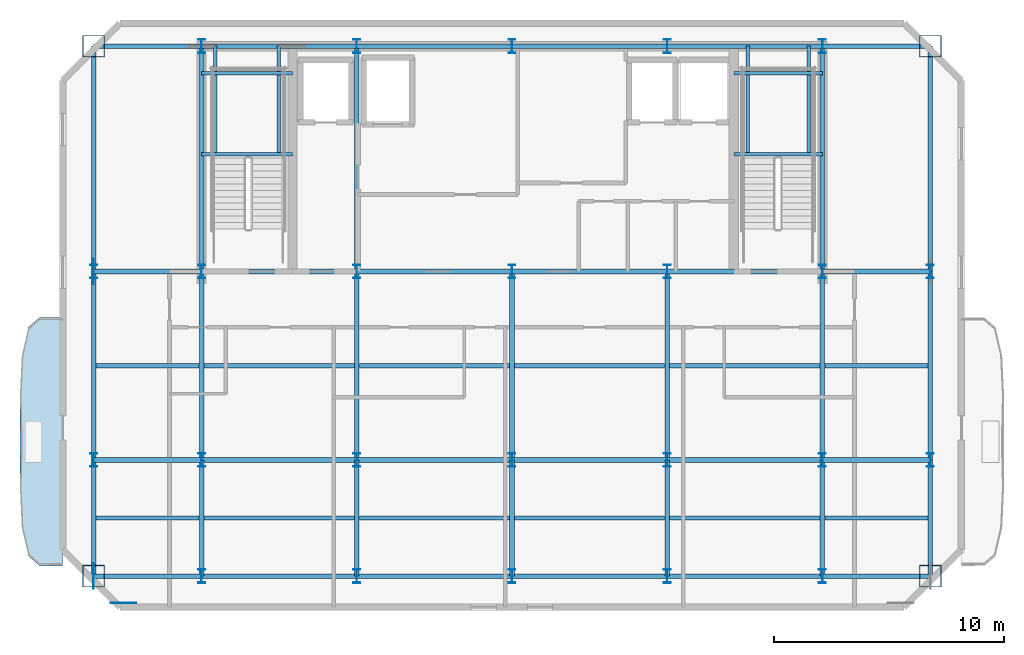
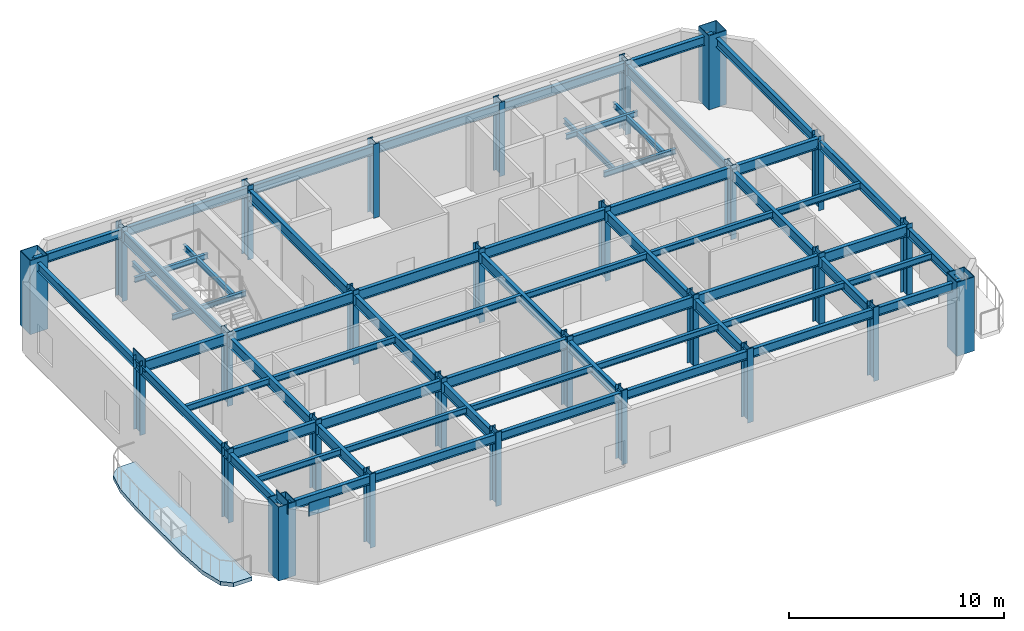
# One storey, part 1 of 6: 63 beams, 28 columns, 3 plates, 1 slab.
"""IFC4 building model written with IfcOpenShell, lengths in metres."""

from ifc_helpers import new_model, si_unit, direction, frame, origin, origin_2d, place, context, subcontext, project, spatial, polyline, rectangle, hollow_rectangle, i_section, outline, extrude, material, layer, layer_set, material_profile, profile_set, type_object, element, save


model = new_model("IFC4")

# Units and contexts
model_context = context("Model", 3, precision=1e-05, world=origin(), true_north=direction((0.0, 1.0)))
body_context = subcontext(model_context, "Body", "Model", "MODEL_VIEW")
ifc_project = project(units=[si_unit("LENGTHUNIT", "METRE"), si_unit("AREAUNIT", "SQUARE_METRE"), si_unit("VOLUMEUNIT", "CUBIC_METRE"), si_unit("PLANEANGLEUNIT", "RADIAN"), si_unit("MASSUNIT", "GRAM", prefix="KILO")], contexts=[model_context])

# Site, building, storey
site_placement = place(None, origin())
site = spatial("IfcSite", under=ifc_project, at=site_placement, CompositionType="ELEMENT")
building_placement = place(site_placement, origin())
building = spatial("IfcBuilding", under=site, at=building_placement, Name="Haevon Station Towers", CompositionType="ELEMENT")
storey_placement = place(building_placement, frame((0.0, 0.0, 265.800048828125)))
storey = spatial("IfcBuildingStorey", under=building, at=storey_placement, Name="L74", CompositionType="ELEMENT", Elevation=265.800048828125)

# Columns
ifc_material_1 = material(Name="Steel S460", Category="steel")
ifc_material_profile_1 = material_profile(ifc_material_1, hollow_rectangle(XDim=0.949951171875, YDim=0.949951171875, WallThickness=0.028076171875, at=origin_2d()), Name="BOX-950x950x28")
ifc_profile_set_1 = profile_set([ifc_material_profile_1], Name="Steel S460")
column_type_1 = type_object("IfcColumnType", Name="COL-MC6", PredefinedType="COLUMN", material=ifc_profile_set_1)
for number, where, z_axis, x_axis, name in (
    (1, (19.300048828125, 24.949951171875, 0.0), (0.0, 0.0, 1.0), (1.0, 0.0, 0.0), "COL-T1-L74-01-01"),
    (2, (19.300048828125, 48.0, 0.0), (0.0, 0.0, 1.0), (1.0, 0.0, 0.0), "COL-T1-L74-01-04"),
    (3, (55.699951171875, 24.949951171875, 0.0), (0.0, 0.0, 1.0), (1.0, 0.0, 0.0), "COL-T1-L74-07-01"),
    (4, (55.699951171875, 48.0, 0.0), (0.0, 0.0, 1.0), (1.0, 0.0, 0.0), "COL-T1-L74-07-04"),
):
    element("IfcColumn", number, at=place(storey_placement, frame(where, z_axis=z_axis, x_axis=x_axis)), inside=storey, type_object=column_type_1, Name=name, PredefinedType="COLUMN", context=body_context, shape_type="SweptSolid", body=[
        extrude(hollow_rectangle(XDim=0.949951171875, YDim=0.949951171875, WallThickness=0.028076171875, at=origin_2d()), origin(), (0.0, 0.0, 1.0), 4.199951171875),
    ])
ifc_material_2 = material(Name="Steel S355", Category="steel")
ifc_material_profile_2 = material_profile(ifc_material_2, i_section(OverallWidth=0.300048828125, OverallDepth=0.60009765625, WebThickness=0.013916015625, FlangeThickness=0.02490234375, at=origin_2d()), Name="H-600x300x14x25")
ifc_profile_set_2 = profile_set([ifc_material_profile_2], Name="Steel S355")
column_type_2 = type_object("IfcColumnType", Name="COL-TW4", PredefinedType="COLUMN", material=ifc_profile_set_2)
for number, where, z_axis, x_axis, name in (
    (5, (19.300048828125, 30.0, 0.0), (0.0, 0.0, 1.0), (1.0, 0.0, 0.0), "COL-T1-L74-01-02"),
    (6, (19.300048828125, 38.199951171875, 0.0), (0.0, 0.0, 1.0), (1.0, 0.0, 0.0), "COL-T1-L74-01-03"),
    (7, (24.0, 24.949951171875, 0.0), (0.0, 0.0, 1.0), (1.0, 0.0, 0.0), "COL-T1-L74-02-01"),
    (8, (24.0, 30.0, 0.0), (0.0, 0.0, 1.0), (1.0, 0.0, 0.0), "COL-T1-L74-02-02"),
    (9, (24.0, 38.199951171875, 0.0), (0.0, 0.0, 1.0), (1.0, 0.0, 0.0), "COL-T1-L74-02-03"),
    (10, (24.0, 48.0, 0.0), (0.0, 0.0, 1.0), (1.0, 0.0, 0.0), "COL-T1-L74-02-04"),
    (11, (30.75, 24.949951171875, 0.0), (0.0, 0.0, 1.0), (1.0, 0.0, 0.0), "COL-T1-L74-03-01"),
    (12, (30.75, 30.0, 0.0), (0.0, 0.0, 1.0), (1.0, 0.0, 0.0), "COL-T1-L74-03-02"),
    (13, (30.75, 38.199951171875, 0.0), (0.0, 0.0, 1.0), (1.0, 0.0, 0.0), "COL-T1-L74-03-03"),
    (14, (30.75, 48.0, 0.0), (0.0, 0.0, 1.0), (1.0, 0.0, 0.0), "COL-T1-L74-03-04"),
    (15, (37.5, 24.949951171875, 0.0), (0.0, 0.0, 1.0), (1.0, 0.0, 0.0), "COL-T1-L74-04-01"),
    (16, (37.5, 30.0, 0.0), (0.0, 0.0, 1.0), (1.0, 0.0, 0.0), "COL-T1-L74-04-02"),
    (17, (37.5, 38.199951171875, 0.0), (0.0, 0.0, 1.0), (1.0, 0.0, 0.0), "COL-T1-L74-04-03"),
    (18, (37.5, 48.0, 0.0), (0.0, 0.0, 1.0), (1.0, 0.0, 0.0), "COL-T1-L74-04-04"),
    (19, (44.25, 24.949951171875, 0.0), (0.0, 0.0, 1.0), (1.0, 0.0, 0.0), "COL-T1-L74-05-01"),
    (20, (44.25, 30.0, 0.0), (0.0, 0.0, 1.0), (1.0, 0.0, 0.0), "COL-T1-L74-05-02"),
    (21, (44.25, 38.199951171875, 0.0), (0.0, 0.0, 1.0), (1.0, 0.0, 0.0), "COL-T1-L74-05-03"),
    (22, (44.25, 48.0, 0.0), (0.0, 0.0, 1.0), (1.0, 0.0, 0.0), "COL-T1-L74-05-04"),
    (23, (51.0, 24.949951171875, 0.0), (0.0, 0.0, 1.0), (1.0, 0.0, 0.0), "COL-T1-L74-06-01"),
    (24, (51.0, 30.0, 0.0), (0.0, 0.0, 1.0), (1.0, 0.0, 0.0), "COL-T1-L74-06-02"),
    (25, (51.0, 38.199951171875, 0.0), (0.0, 0.0, 1.0), (1.0, 0.0, 0.0), "COL-T1-L74-06-03"),
    (26, (51.0, 48.0, 0.0), (0.0, 0.0, 1.0), (1.0, 0.0, 0.0), "COL-T1-L74-06-04"),
    (27, (55.699951171875, 30.0, 0.0), (0.0, 0.0, 1.0), (1.0, 0.0, 0.0), "COL-T1-L74-07-02"),
    (28, (55.699951171875, 38.199951171875, 0.0), (0.0, 0.0, 1.0), (1.0, 0.0, 0.0), "COL-T1-L74-07-03"),
):
    element("IfcColumn", number, at=place(storey_placement, frame(where, z_axis=z_axis, x_axis=x_axis)), inside=storey, type_object=column_type_2, Name=name, PredefinedType="COLUMN", context=body_context, shape_type="SweptSolid", body=[
        extrude(i_section(OverallWidth=0.300048828125, OverallDepth=0.60009765625, WebThickness=0.013916015625, FlangeThickness=0.02490234375, at=origin_2d()), origin(), (0.0, 0.0, 1.0), 4.199951171875),
    ])

# Beams
ifc_material_profile_3 = material_profile(ifc_material_2, i_section(OverallWidth=0.199951171875, OverallDepth=0.60009765625, WebThickness=0.010986328125, FlangeThickness=0.01708984375, at=origin_2d()), Name="H-600x200x11x17")
ifc_profile_set_3 = profile_set([ifc_material_profile_3], Name="Steel S355")
beam_type_1 = type_object("IfcBeamType", Name="BM-G600", PredefinedType="BEAM", material=ifc_profile_set_3)
beam_1_placement = place(storey_placement, frame((19.300048828125, 30.0, 3.64990234375), z_axis=(1.0, 0.0, 0.0), x_axis=(0.0, 1.0, 0.0)))
element("IfcBeam", 29, at=beam_1_placement, inside=storey, type_object=beam_type_1, Name="BM-T1U-L74-02-01", PredefinedType="BEAM", context=body_context, shape_type="SweptSolid", body=[
    extrude(i_section(OverallWidth=0.199951171875, OverallDepth=0.60009765625, WebThickness=0.010986328125, FlangeThickness=0.01708984375, at=origin_2d()), origin(), (0.0, 0.0, 1.0), 4.699951171875),
])
for number, where, z_axis, x_axis, name in (
    (30, (24.0, 30.0, 3.64990234375), (1.0, 0.0, 0.0), (0.0, 1.0, 0.0), "BM-T1U-L74-02-02"),
    (31, (30.75, 30.0, 3.64990234375), (1.0, 0.0, 0.0), (0.0, 1.0, 0.0), "BM-T1U-L74-02-03"),
    (32, (37.5, 30.0, 3.64990234375), (1.0, 0.0, 0.0), (0.0, 1.0, 0.0), "BM-T1U-L74-02-04"),
    (33, (44.25, 30.0, 3.64990234375), (1.0, 0.0, 0.0), (0.0, 1.0, 0.0), "BM-T1U-L74-02-05"),
):
    element("IfcBeam", number, at=place(storey_placement, frame(where, z_axis=z_axis, x_axis=x_axis)), inside=storey, type_object=beam_type_1, Name=name, PredefinedType="BEAM", context=body_context, shape_type="SweptSolid", body=[
        extrude(i_section(OverallWidth=0.199951171875, OverallDepth=0.60009765625, WebThickness=0.010986328125, FlangeThickness=0.01708984375, at=origin_2d()), origin(), (0.0, 0.0, 1.0), 6.75),
    ])
for number, where, z_axis, x_axis, name in (
    (34, (51.0, 30.0, 3.64990234375), (1.0, 0.0, 0.0), (0.0, 1.0, 0.0), "BM-T1U-L74-02-06"),
    (35, (19.300048828125, 38.199951171875, 3.64990234375), (1.0, 0.0, 0.0), (0.0, 1.0, 0.0), "BM-T1U-L74-03-01"),
):
    element("IfcBeam", number, at=place(storey_placement, frame(where, z_axis=z_axis, x_axis=x_axis)), inside=storey, type_object=beam_type_1, Name=name, PredefinedType="BEAM", context=body_context, shape_type="SweptSolid", body=[
        extrude(i_section(OverallWidth=0.199951171875, OverallDepth=0.60009765625, WebThickness=0.010986328125, FlangeThickness=0.01708984375, at=origin_2d()), origin(), (0.0, 0.0, 1.0), 4.699951171875),
    ])
for number, where, z_axis, x_axis, name in (
    (36, (24.0, 38.199951171875, 3.64990234375), (1.0, 0.0, 0.0), (0.0, 1.0, 0.0), "BM-T1U-L74-03-02"),
    (37, (30.75, 38.199951171875, 3.64990234375), (1.0, 0.0, 0.0), (0.0, 1.0, 0.0), "BM-T1U-L74-03-03"),
    (38, (37.5, 38.199951171875, 3.64990234375), (1.0, 0.0, 0.0), (0.0, 1.0, 0.0), "BM-T1U-L74-03-04"),
    (39, (44.25, 38.199951171875, 3.64990234375), (1.0, 0.0, 0.0), (0.0, 1.0, 0.0), "BM-T1U-L74-03-05"),
):
    element("IfcBeam", number, at=place(storey_placement, frame(where, z_axis=z_axis, x_axis=x_axis)), inside=storey, type_object=beam_type_1, Name=name, PredefinedType="BEAM", context=body_context, shape_type="SweptSolid", body=[
        extrude(i_section(OverallWidth=0.199951171875, OverallDepth=0.60009765625, WebThickness=0.010986328125, FlangeThickness=0.01708984375, at=origin_2d()), origin(), (0.0, 0.0, 1.0), 6.75),
    ])
beam_2_placement = place(storey_placement, frame((51.0, 38.199951171875, 3.64990234375), z_axis=(1.0, 0.0, 0.0), x_axis=(0.0, 1.0, 0.0)))
element("IfcBeam", 40, at=beam_2_placement, inside=storey, type_object=beam_type_1, Name="BM-T1U-L74-03-06", PredefinedType="BEAM", context=body_context, shape_type="SweptSolid", body=[
    extrude(i_section(OverallWidth=0.199951171875, OverallDepth=0.60009765625, WebThickness=0.010986328125, FlangeThickness=0.01708984375, at=origin_2d()), origin(), (0.0, 0.0, 1.0), 4.699951171875),
])
beam_3_placement = place(storey_placement, frame((24.0, 24.949951171875, 3.64990234375), z_axis=(0.0, 1.0, 0.0), x_axis=(-1.0, 0.0, 0.0)))
element("IfcBeam", 41, at=beam_3_placement, inside=storey, type_object=beam_type_1, Name="BM-T1V-L74-02-01", PredefinedType="BEAM", context=body_context, shape_type="SweptSolid", body=[
    extrude(i_section(OverallWidth=0.199951171875, OverallDepth=0.60009765625, WebThickness=0.010986328125, FlangeThickness=0.01708984375, at=origin_2d()), origin(), (0.0, 0.0, 1.0), 5.050048828125),
])
beam_4_placement = place(storey_placement, frame((24.0, 30.0, 3.64990234375), z_axis=(0.0, 1.0, 0.0), x_axis=(-1.0, 0.0, 0.0)))
element("IfcBeam", 42, at=beam_4_placement, inside=storey, type_object=beam_type_1, Name="BM-T1V-L74-02-02", PredefinedType="BEAM", context=body_context, shape_type="SweptSolid", body=[
    extrude(i_section(OverallWidth=0.199951171875, OverallDepth=0.60009765625, WebThickness=0.010986328125, FlangeThickness=0.01708984375, at=origin_2d()), origin(), (0.0, 0.0, 1.0), 8.199951171875),
])
beam_5_placement = place(storey_placement, frame((24.0, 38.199951171875, 3.64990234375), z_axis=(0.0, 1.0, 0.0), x_axis=(-1.0, 0.0, 0.0)))
element("IfcBeam", 43, at=beam_5_placement, inside=storey, type_object=beam_type_1, Name="BM-T1V-L74-02-03", PredefinedType="BEAM", context=body_context, shape_type="SweptSolid", body=[
    extrude(i_section(OverallWidth=0.199951171875, OverallDepth=0.60009765625, WebThickness=0.010986328125, FlangeThickness=0.01708984375, at=origin_2d()), origin(), (0.0, 0.0, 1.0), 9.800048828125),
])
beam_6_placement = place(storey_placement, frame((30.75, 24.949951171875, 3.64990234375), z_axis=(0.0, 1.0, 0.0), x_axis=(-1.0, 0.0, 0.0)))
element("IfcBeam", 44, at=beam_6_placement, inside=storey, type_object=beam_type_1, Name="BM-T1V-L74-03-01", PredefinedType="BEAM", context=body_context, shape_type="SweptSolid", body=[
    extrude(i_section(OverallWidth=0.199951171875, OverallDepth=0.60009765625, WebThickness=0.010986328125, FlangeThickness=0.01708984375, at=origin_2d()), origin(), (0.0, 0.0, 1.0), 5.050048828125),
])
beam_7_placement = place(storey_placement, frame((30.75, 30.0, 3.64990234375), z_axis=(0.0, 1.0, 0.0), x_axis=(-1.0, 0.0, 0.0)))
element("IfcBeam", 45, at=beam_7_placement, inside=storey, type_object=beam_type_1, Name="BM-T1V-L74-03-02", PredefinedType="BEAM", context=body_context, shape_type="SweptSolid", body=[
    extrude(i_section(OverallWidth=0.199951171875, OverallDepth=0.60009765625, WebThickness=0.010986328125, FlangeThickness=0.01708984375, at=origin_2d()), origin(), (0.0, 0.0, 1.0), 8.199951171875),
])
beam_8_placement = place(storey_placement, frame((30.75, 38.199951171875, 3.64990234375), z_axis=(0.0, 1.0, 0.0), x_axis=(-1.0, 0.0, 0.0)))
element("IfcBeam", 46, at=beam_8_placement, inside=storey, type_object=beam_type_1, Name="BM-T1V-L74-03-03", PredefinedType="BEAM", context=body_context, shape_type="SweptSolid", body=[
    extrude(i_section(OverallWidth=0.199951171875, OverallDepth=0.60009765625, WebThickness=0.010986328125, FlangeThickness=0.01708984375, at=origin_2d()), origin(), (0.0, 0.0, 1.0), 9.800048828125),
])
beam_9_placement = place(storey_placement, frame((37.5, 24.949951171875, 3.64990234375), z_axis=(0.0, 1.0, 0.0), x_axis=(-1.0, 0.0, 0.0)))
element("IfcBeam", 47, at=beam_9_placement, inside=storey, type_object=beam_type_1, Name="BM-T1V-L74-04-01", PredefinedType="BEAM", context=body_context, shape_type="SweptSolid", body=[
    extrude(i_section(OverallWidth=0.199951171875, OverallDepth=0.60009765625, WebThickness=0.010986328125, FlangeThickness=0.01708984375, at=origin_2d()), origin(), (0.0, 0.0, 1.0), 5.050048828125),
])
beam_10_placement = place(storey_placement, frame((37.5, 30.0, 3.64990234375), z_axis=(0.0, 1.0, 0.0), x_axis=(-1.0, 0.0, 0.0)))
element("IfcBeam", 48, at=beam_10_placement, inside=storey, type_object=beam_type_1, Name="BM-T1V-L74-04-02", PredefinedType="BEAM", context=body_context, shape_type="SweptSolid", body=[
    extrude(i_section(OverallWidth=0.199951171875, OverallDepth=0.60009765625, WebThickness=0.010986328125, FlangeThickness=0.01708984375, at=origin_2d()), origin(), (0.0, 0.0, 1.0), 8.199951171875),
])
beam_11_placement = place(storey_placement, frame((44.25, 24.949951171875, 3.64990234375), z_axis=(0.0, 1.0, 0.0), x_axis=(-1.0, 0.0, 0.0)))
element("IfcBeam", 49, at=beam_11_placement, inside=storey, type_object=beam_type_1, Name="BM-T1V-L74-05-01", PredefinedType="BEAM", context=body_context, shape_type="SweptSolid", body=[
    extrude(i_section(OverallWidth=0.199951171875, OverallDepth=0.60009765625, WebThickness=0.010986328125, FlangeThickness=0.01708984375, at=origin_2d()), origin(), (0.0, 0.0, 1.0), 5.050048828125),
])
beam_12_placement = place(storey_placement, frame((44.25, 30.0, 3.64990234375), z_axis=(0.0, 1.0, 0.0), x_axis=(-1.0, 0.0, 0.0)))
element("IfcBeam", 50, at=beam_12_placement, inside=storey, type_object=beam_type_1, Name="BM-T1V-L74-05-02", PredefinedType="BEAM", context=body_context, shape_type="SweptSolid", body=[
    extrude(i_section(OverallWidth=0.199951171875, OverallDepth=0.60009765625, WebThickness=0.010986328125, FlangeThickness=0.01708984375, at=origin_2d()), origin(), (0.0, 0.0, 1.0), 8.199951171875),
])
beam_13_placement = place(storey_placement, frame((51.0, 24.949951171875, 3.64990234375), z_axis=(0.0, 1.0, 0.0), x_axis=(-1.0, 0.0, 0.0)))
element("IfcBeam", 51, at=beam_13_placement, inside=storey, type_object=beam_type_1, Name="BM-T1V-L74-06-01", PredefinedType="BEAM", context=body_context, shape_type="SweptSolid", body=[
    extrude(i_section(OverallWidth=0.199951171875, OverallDepth=0.60009765625, WebThickness=0.010986328125, FlangeThickness=0.01708984375, at=origin_2d()), origin(), (0.0, 0.0, 1.0), 5.050048828125),
])
beam_14_placement = place(storey_placement, frame((51.0, 30.0, 3.64990234375), z_axis=(0.0, 1.0, 0.0), x_axis=(-1.0, 0.0, 0.0)))
element("IfcBeam", 52, at=beam_14_placement, inside=storey, type_object=beam_type_1, Name="BM-T1V-L74-06-02", PredefinedType="BEAM", context=body_context, shape_type="SweptSolid", body=[
    extrude(i_section(OverallWidth=0.199951171875, OverallDepth=0.60009765625, WebThickness=0.010986328125, FlangeThickness=0.01708984375, at=origin_2d()), origin(), (0.0, 0.0, 1.0), 8.199951171875),
])
beam_15_placement = place(storey_placement, frame((51.0, 38.199951171875, 3.64990234375), z_axis=(0.0, 1.0, 0.0), x_axis=(-1.0, 0.0, 0.0)))
element("IfcBeam", 53, at=beam_15_placement, inside=storey, type_object=beam_type_1, Name="BM-T1V-L74-06-03", PredefinedType="BEAM", context=body_context, shape_type="SweptSolid", body=[
    extrude(i_section(OverallWidth=0.199951171875, OverallDepth=0.60009765625, WebThickness=0.010986328125, FlangeThickness=0.01708984375, at=origin_2d()), origin(), (0.0, 0.0, 1.0), 9.800048828125),
])
ifc_material_profile_4 = material_profile(ifc_material_2, i_section(OverallWidth=0.175048828125, OverallDepth=0.35009765625, WebThickness=0.007080078125, FlangeThickness=0.010986328125, at=origin_2d()), Name="H-350x175x7x11")
ifc_profile_set_4 = profile_set([ifc_material_profile_4], Name="Steel S355")
beam_type_2 = type_object("IfcBeamType", Name="BM-J350", PredefinedType="JOIST", material=ifc_profile_set_4)
beam_16_placement = place(storey_placement, frame((19.409912109375, 27.47509765625, 3.77490234375), z_axis=(1.0, 0.0, 0.0), x_axis=(0.0, 1.0, 0.0)))
element("IfcBeam", 54, at=beam_16_placement, inside=storey, type_object=beam_type_2, Name="BM-T1J-L74-01-01", PredefinedType="JOIST", context=body_context, shape_type="SweptSolid", body=[
    extrude(i_section(OverallWidth=0.175048828125, OverallDepth=0.35009765625, WebThickness=0.007080078125, FlangeThickness=0.010986328125, at=origin_2d()), origin(), (0.0, 0.0, 1.0), 4.47998046875),
])
for number, where, z_axis, x_axis, name in (
    (55, (24.110107421875, 27.47509765625, 3.77490234375), (1.0, 0.0, 0.0), (0.0, 1.0, 0.0), "BM-T1J-L74-01-02"),
    (56, (30.860107421875, 27.47509765625, 3.77490234375), (1.0, 0.0, 0.0), (0.0, 1.0, 0.0), "BM-T1J-L74-01-03"),
    (57, (37.610107421875, 27.47509765625, 3.77490234375), (1.0, 0.0, 0.0), (0.0, 1.0, 0.0), "BM-T1J-L74-01-04"),
    (58, (44.360107421875, 27.47509765625, 3.77490234375), (1.0, 0.0, 0.0), (0.0, 1.0, 0.0), "BM-T1J-L74-01-05"),
):
    element("IfcBeam", number, at=place(storey_placement, frame(where, z_axis=z_axis, x_axis=x_axis)), inside=storey, type_object=beam_type_2, Name=name, PredefinedType="JOIST", context=body_context, shape_type="SweptSolid", body=[
        extrude(i_section(OverallWidth=0.175048828125, OverallDepth=0.35009765625, WebThickness=0.007080078125, FlangeThickness=0.010986328125, at=origin_2d()), origin(), (0.0, 0.0, 1.0), 6.52978515625),
    ])
for number, where, z_axis, x_axis, name in (
    (59, (51.110107421875, 27.47509765625, 3.77490234375), (1.0, 0.0, 0.0), (0.0, 1.0, 0.0), "BM-T1J-L74-01-06"),
    (60, (19.409912109375, 34.10009765625, 3.77490234375), (1.0, 0.0, 0.0), (0.0, 1.0, 0.0), "BM-T1J-L74-02-01"),
):
    element("IfcBeam", number, at=place(storey_placement, frame(where, z_axis=z_axis, x_axis=x_axis)), inside=storey, type_object=beam_type_2, Name=name, PredefinedType="JOIST", context=body_context, shape_type="SweptSolid", body=[
        extrude(i_section(OverallWidth=0.175048828125, OverallDepth=0.35009765625, WebThickness=0.007080078125, FlangeThickness=0.010986328125, at=origin_2d()), origin(), (0.0, 0.0, 1.0), 4.47998046875),
    ])
for number, where, z_axis, x_axis, name in (
    (61, (24.110107421875, 34.10009765625, 3.77490234375), (1.0, 0.0, 0.0), (0.0, 1.0, 0.0), "BM-T1J-L74-02-02"),
    (62, (30.860107421875, 34.10009765625, 3.77490234375), (1.0, 0.0, 0.0), (0.0, 1.0, 0.0), "BM-T1J-L74-02-03"),
    (63, (37.610107421875, 34.10009765625, 3.77490234375), (1.0, 0.0, 0.0), (0.0, 1.0, 0.0), "BM-T1J-L74-02-04"),
    (64, (44.360107421875, 34.10009765625, 3.77490234375), (1.0, 0.0, 0.0), (0.0, 1.0, 0.0), "BM-T1J-L74-02-05"),
):
    element("IfcBeam", number, at=place(storey_placement, frame(where, z_axis=z_axis, x_axis=x_axis)), inside=storey, type_object=beam_type_2, Name=name, PredefinedType="JOIST", context=body_context, shape_type="SweptSolid", body=[
        extrude(i_section(OverallWidth=0.175048828125, OverallDepth=0.35009765625, WebThickness=0.007080078125, FlangeThickness=0.010986328125, at=origin_2d()), origin(), (0.0, 0.0, 1.0), 6.52978515625),
    ])
beam_17_placement = place(storey_placement, frame((51.110107421875, 34.10009765625, 3.77490234375), z_axis=(1.0, 0.0, 0.0), x_axis=(0.0, 1.0, 0.0)))
element("IfcBeam", 65, at=beam_17_placement, inside=storey, type_object=beam_type_2, Name="BM-T1J-L74-02-06", PredefinedType="JOIST", context=body_context, shape_type="SweptSolid", body=[
    extrude(i_section(OverallWidth=0.175048828125, OverallDepth=0.35009765625, WebThickness=0.007080078125, FlangeThickness=0.010986328125, at=origin_2d()), origin(), (0.0, 0.0, 1.0), 4.47998046875),
])
ifc_material_profile_5 = material_profile(ifc_material_2, i_section(OverallWidth=0.14990234375, OverallDepth=0.300048828125, WebThickness=0.006591796875, FlangeThickness=0.009033203125, at=origin_2d()), Name="H-300x150x6.5x9")
ifc_profile_set_5 = profile_set([ifc_material_profile_5], Name="Steel S355")
beam_type_3 = type_object("IfcBeamType", Name="BM-LIN300", PredefinedType="LINTEL", material=ifc_profile_set_5)
for number, where, z_axis, x_axis, name in (
    (66, (24.0, 43.303955078125, 1.75), (1.0, 0.0, 0.0), (0.0, 1.0, 0.0), "BM-ST1L-L74-1-S"),
    (67, (24.0, 46.820068359375, 1.75), (1.0, 0.0, 0.0), (0.0, 1.0, 0.0), "BM-ST1L-L74-1-N"),
):
    element("IfcBeam", number, at=place(storey_placement, frame(where, z_axis=z_axis, x_axis=x_axis)), inside=storey, type_object=beam_type_3, Name=name, PredefinedType="LINTEL", context=body_context, shape_type="SweptSolid", body=[
        extrude(i_section(OverallWidth=0.14990234375, OverallDepth=0.300048828125, WebThickness=0.006591796875, FlangeThickness=0.009033203125, at=origin_2d()), origin(), (0.0, 0.0, 1.0), 3.949951171875),
    ])
for number, where, z_axis, x_axis, name in (
    (68, (24.60009765625, 43.303955078125, 1.75), (0.0, 1.0, 0.0), (-1.0, 0.0, 0.0), "BM-ST1L-L74-1-W"),
    (69, (27.35009765625, 43.303955078125, 1.75), (0.0, 1.0, 0.0), (-1.0, 0.0, 0.0), "BM-ST1L-L74-1-E"),
):
    element("IfcBeam", number, at=place(storey_placement, frame(where, z_axis=z_axis, x_axis=x_axis)), inside=storey, type_object=beam_type_3, Name=name, PredefinedType="LINTEL", context=body_context, shape_type="SweptSolid", body=[
        extrude(i_section(OverallWidth=0.14990234375, OverallDepth=0.300048828125, WebThickness=0.006591796875, FlangeThickness=0.009033203125, at=origin_2d()), origin(), (0.0, 0.0, 1.0), 4.696044921875),
    ])
for number, where, z_axis, x_axis, name in (
    (70, (47.14990234375, 43.303955078125, 1.75), (1.0, 0.0, 0.0), (0.0, 1.0, 0.0), "BM-ST2L-L74-1-S"),
    (71, (47.14990234375, 46.820068359375, 1.75), (1.0, 0.0, 0.0), (0.0, 1.0, 0.0), "BM-ST2L-L74-1-N"),
):
    element("IfcBeam", number, at=place(storey_placement, frame(where, z_axis=z_axis, x_axis=x_axis)), inside=storey, type_object=beam_type_3, Name=name, PredefinedType="LINTEL", context=body_context, shape_type="SweptSolid", body=[
        extrude(i_section(OverallWidth=0.14990234375, OverallDepth=0.300048828125, WebThickness=0.006591796875, FlangeThickness=0.009033203125, at=origin_2d()), origin(), (0.0, 0.0, 1.0), 3.85009765625),
    ])
for number, where, z_axis, x_axis, name in (
    (72, (47.75, 43.303955078125, 1.75), (0.0, 1.0, 0.0), (-1.0, 0.0, 0.0), "BM-ST2L-L74-1-W"),
    (73, (50.39990234375, 43.303955078125, 1.75), (0.0, 1.0, 0.0), (-1.0, 0.0, 0.0), "BM-ST2L-L74-1-E"),
):
    element("IfcBeam", number, at=place(storey_placement, frame(where, z_axis=z_axis, x_axis=x_axis)), inside=storey, type_object=beam_type_3, Name=name, PredefinedType="LINTEL", context=body_context, shape_type="SweptSolid", body=[
        extrude(i_section(OverallWidth=0.14990234375, OverallDepth=0.300048828125, WebThickness=0.006591796875, FlangeThickness=0.009033203125, at=origin_2d()), origin(), (0.0, 0.0, 1.0), 4.696044921875),
    ])
ifc_material_profile_6 = material_profile(ifc_material_2, i_section(OverallWidth=0.199951171875, OverallDepth=0.5, WebThickness=0.010009765625, FlangeThickness=0.01611328125, at=origin_2d()), Name="H-500x200x10x16")
ifc_profile_set_6 = profile_set([ifc_material_profile_6], Name="Steel S355")
beam_type_4 = type_object("IfcBeamType", Name="BM-SP500", PredefinedType="SPANDREL", material=ifc_profile_set_6)
beam_18_placement = place(storey_placement, frame((19.300048828125, 24.949951171875, 3.699951171875), z_axis=(1.0, 0.0, 0.0), x_axis=(0.0, 1.0, 0.0)))
element("IfcBeam", 74, at=beam_18_placement, inside=storey, type_object=beam_type_4, Name="BM-T1U-L74-01-01", PredefinedType="SPANDREL", context=body_context, shape_type="SweptSolid", body=[
    extrude(i_section(OverallWidth=0.199951171875, OverallDepth=0.5, WebThickness=0.010009765625, FlangeThickness=0.01611328125, at=origin_2d()), origin(), (0.0, 0.0, 1.0), 4.699951171875),
])
for number, where, z_axis, x_axis, name in (
    (75, (24.0, 24.949951171875, 3.699951171875), (1.0, 0.0, 0.0), (0.0, 1.0, 0.0), "BM-T1U-L74-01-02"),
    (76, (30.75, 24.949951171875, 3.699951171875), (1.0, 0.0, 0.0), (0.0, 1.0, 0.0), "BM-T1U-L74-01-03"),
    (77, (37.5, 24.949951171875, 3.699951171875), (1.0, 0.0, 0.0), (0.0, 1.0, 0.0), "BM-T1U-L74-01-04"),
    (78, (44.25, 24.949951171875, 3.699951171875), (1.0, 0.0, 0.0), (0.0, 1.0, 0.0), "BM-T1U-L74-01-05"),
):
    element("IfcBeam", number, at=place(storey_placement, frame(where, z_axis=z_axis, x_axis=x_axis)), inside=storey, type_object=beam_type_4, Name=name, PredefinedType="SPANDREL", context=body_context, shape_type="SweptSolid", body=[
        extrude(i_section(OverallWidth=0.199951171875, OverallDepth=0.5, WebThickness=0.010009765625, FlangeThickness=0.01611328125, at=origin_2d()), origin(), (0.0, 0.0, 1.0), 6.75),
    ])
for number, where, z_axis, x_axis, name in (
    (79, (51.0, 24.949951171875, 3.699951171875), (1.0, 0.0, 0.0), (0.0, 1.0, 0.0), "BM-T1U-L74-01-06"),
    (80, (19.300048828125, 48.0, 3.699951171875), (1.0, 0.0, 0.0), (0.0, 1.0, 0.0), "BM-T1U-L74-04-01"),
):
    element("IfcBeam", number, at=place(storey_placement, frame(where, z_axis=z_axis, x_axis=x_axis)), inside=storey, type_object=beam_type_4, Name=name, PredefinedType="SPANDREL", context=body_context, shape_type="SweptSolid", body=[
        extrude(i_section(OverallWidth=0.199951171875, OverallDepth=0.5, WebThickness=0.010009765625, FlangeThickness=0.01611328125, at=origin_2d()), origin(), (0.0, 0.0, 1.0), 4.699951171875),
    ])
for number, where, z_axis, x_axis, name in (
    (81, (24.0, 48.0, 3.699951171875), (1.0, 0.0, 0.0), (0.0, 1.0, 0.0), "BM-T1U-L74-04-02"),
    (82, (30.75, 48.0, 3.699951171875), (1.0, 0.0, 0.0), (0.0, 1.0, 0.0), "BM-T1U-L74-04-03"),
    (83, (37.5, 48.0, 3.699951171875), (1.0, 0.0, 0.0), (0.0, 1.0, 0.0), "BM-T1U-L74-04-04"),
    (84, (44.25, 48.0, 3.699951171875), (1.0, 0.0, 0.0), (0.0, 1.0, 0.0), "BM-T1U-L74-04-05"),
):
    element("IfcBeam", number, at=place(storey_placement, frame(where, z_axis=z_axis, x_axis=x_axis)), inside=storey, type_object=beam_type_4, Name=name, PredefinedType="SPANDREL", context=body_context, shape_type="SweptSolid", body=[
        extrude(i_section(OverallWidth=0.199951171875, OverallDepth=0.5, WebThickness=0.010009765625, FlangeThickness=0.01611328125, at=origin_2d()), origin(), (0.0, 0.0, 1.0), 6.75),
    ])
beam_19_placement = place(storey_placement, frame((51.0, 48.0, 3.699951171875), z_axis=(1.0, 0.0, 0.0), x_axis=(0.0, 1.0, 0.0)))
element("IfcBeam", 85, at=beam_19_placement, inside=storey, type_object=beam_type_4, Name="BM-T1U-L74-04-06", PredefinedType="SPANDREL", context=body_context, shape_type="SweptSolid", body=[
    extrude(i_section(OverallWidth=0.199951171875, OverallDepth=0.5, WebThickness=0.010009765625, FlangeThickness=0.01611328125, at=origin_2d()), origin(), (0.0, 0.0, 1.0), 4.699951171875),
])
beam_20_placement = place(storey_placement, frame((19.300048828125, 24.949951171875, 3.699951171875), z_axis=(0.0, 1.0, 0.0), x_axis=(-1.0, 0.0, 0.0)))
element("IfcBeam", 86, at=beam_20_placement, inside=storey, type_object=beam_type_4, Name="BM-T1V-L74-01-01", PredefinedType="SPANDREL", context=body_context, shape_type="SweptSolid", body=[
    extrude(i_section(OverallWidth=0.199951171875, OverallDepth=0.5, WebThickness=0.010009765625, FlangeThickness=0.01611328125, at=origin_2d()), origin(), (0.0, 0.0, 1.0), 5.050048828125),
])
beam_21_placement = place(storey_placement, frame((19.300048828125, 30.0, 3.699951171875), z_axis=(0.0, 1.0, 0.0), x_axis=(-1.0, 0.0, 0.0)))
element("IfcBeam", 87, at=beam_21_placement, inside=storey, type_object=beam_type_4, Name="BM-T1V-L74-01-02", PredefinedType="SPANDREL", context=body_context, shape_type="SweptSolid", body=[
    extrude(i_section(OverallWidth=0.199951171875, OverallDepth=0.5, WebThickness=0.010009765625, FlangeThickness=0.01611328125, at=origin_2d()), origin(), (0.0, 0.0, 1.0), 8.199951171875),
])
beam_22_placement = place(storey_placement, frame((19.300048828125, 38.199951171875, 3.699951171875), z_axis=(0.0, 1.0, 0.0), x_axis=(-1.0, 0.0, 0.0)))
element("IfcBeam", 88, at=beam_22_placement, inside=storey, type_object=beam_type_4, Name="BM-T1V-L74-01-03", PredefinedType="SPANDREL", context=body_context, shape_type="SweptSolid", body=[
    extrude(i_section(OverallWidth=0.199951171875, OverallDepth=0.5, WebThickness=0.010009765625, FlangeThickness=0.01611328125, at=origin_2d()), origin(), (0.0, 0.0, 1.0), 9.800048828125),
])
beam_23_placement = place(storey_placement, frame((55.699951171875, 24.949951171875, 3.699951171875), z_axis=(0.0, 1.0, 0.0), x_axis=(-1.0, 0.0, 0.0)))
element("IfcBeam", 89, at=beam_23_placement, inside=storey, type_object=beam_type_4, Name="BM-T1V-L74-07-01", PredefinedType="SPANDREL", context=body_context, shape_type="SweptSolid", body=[
    extrude(i_section(OverallWidth=0.199951171875, OverallDepth=0.5, WebThickness=0.010009765625, FlangeThickness=0.01611328125, at=origin_2d()), origin(), (0.0, 0.0, 1.0), 5.050048828125),
])
beam_24_placement = place(storey_placement, frame((55.699951171875, 30.0, 3.699951171875), z_axis=(0.0, 1.0, 0.0), x_axis=(-1.0, 0.0, 0.0)))
element("IfcBeam", 90, at=beam_24_placement, inside=storey, type_object=beam_type_4, Name="BM-T1V-L74-07-02", PredefinedType="SPANDREL", context=body_context, shape_type="SweptSolid", body=[
    extrude(i_section(OverallWidth=0.199951171875, OverallDepth=0.5, WebThickness=0.010009765625, FlangeThickness=0.01611328125, at=origin_2d()), origin(), (0.0, 0.0, 1.0), 8.199951171875),
])
beam_25_placement = place(storey_placement, frame((55.699951171875, 38.199951171875, 3.699951171875), z_axis=(0.0, 1.0, 0.0), x_axis=(-1.0, 0.0, 0.0)))
element("IfcBeam", 91, at=beam_25_placement, inside=storey, type_object=beam_type_4, Name="BM-T1V-L74-07-03", PredefinedType="SPANDREL", context=body_context, shape_type="SweptSolid", body=[
    extrude(i_section(OverallWidth=0.199951171875, OverallDepth=0.5, WebThickness=0.010009765625, FlangeThickness=0.01611328125, at=origin_2d()), origin(), (0.0, 0.0, 1.0), 9.800048828125),
])

# Plates
ifc_material_3 = material(Name="PL-SPL1", Category="steel")
ifc_layer_1 = layer(ifc_material_3, 0.031982421875)
ifc_layer_set_1 = layer_set([ifc_layer_1], Name="PL-SPL1")
plate_type = type_object("IfcPlateType", Name="PL-SPL1", PredefinedType="USERDEFINED", material=ifc_layer_set_1)
for number, where, z_axis, x_axis, name in (
    (92, (20.60009765625, 23.780029296875, 3.675048828125), (0.0, 0.0, 1.0), (1.0, 0.0, 0.0), "PL-T1SPL-T11-S-3"),
    (93, (19.300048828125, 24.949951171875, 3.675048828125), (0.0, 0.0, 1.0), (0.0, 1.0, 0.0), "PL-T1SPL-T11-W-3"),
    (94, (19.300048828125, 38.199951171875, 3.675048828125), (0.0, 0.0, 1.0), (0.0, 1.0, 0.0), "PL-T1SPL-T11-W-4"),
):
    element("IfcPlate", number, at=place(storey_placement, frame(where, z_axis=z_axis, x_axis=x_axis)), inside=storey, type_object=plate_type, Name=name, ObjectType="SPLICE_PLATE", PredefinedType="USERDEFINED", context=body_context, shape_type="SweptSolid", body=[
        extrude(rectangle(XDim=1.10009765625, YDim=0.031982421875, at=origin_2d()), origin(), (0.0, 0.0, 1.0), 0.75),
    ])

# Slab
ifc_material_4 = material(Name="Concrete C40/50", Category="concrete")
ifc_layer_2 = layer(ifc_material_4, 0.219970703125)
ifc_layer_set_2 = layer_set([ifc_layer_2], Name="Concrete C40/50")
slab_type = type_object("IfcSlabType", Name="SL-BALC220", PredefinedType="FLOOR", material=ifc_layer_set_2)
slab_placement = place(storey_placement, frame((0.0, 0.0, -0.219970703125)))
element("IfcSlab", 95, at=slab_placement, inside=storey, type_object=slab_type, Name="Tower 1 L74 West SCALLOPED BALCONY", PredefinedType="FLOOR", context=body_context, shape_type="SweptSolid", body=[
    extrude(outline(polyline([(17.945068359375, 36.199951171875), (16.95654296875, 36.199951171875), (16.481689453125, 35.7890625), (16.20166015625, 34.618408203125), (16.109130859375, 32.866455078125), (16.0986328125, 30.800048828125), (16.109130859375, 28.7333984375), (16.20166015625, 26.981689453125), (16.481689453125, 25.81103515625), (16.95654296875, 25.39990234375), (17.945068359375, 25.39990234375), (17.945068359375, 36.199951171875)])), origin(), (0.0, 0.0, 1.0), 0.219970703125),
])

save(model, "model.ifc")
